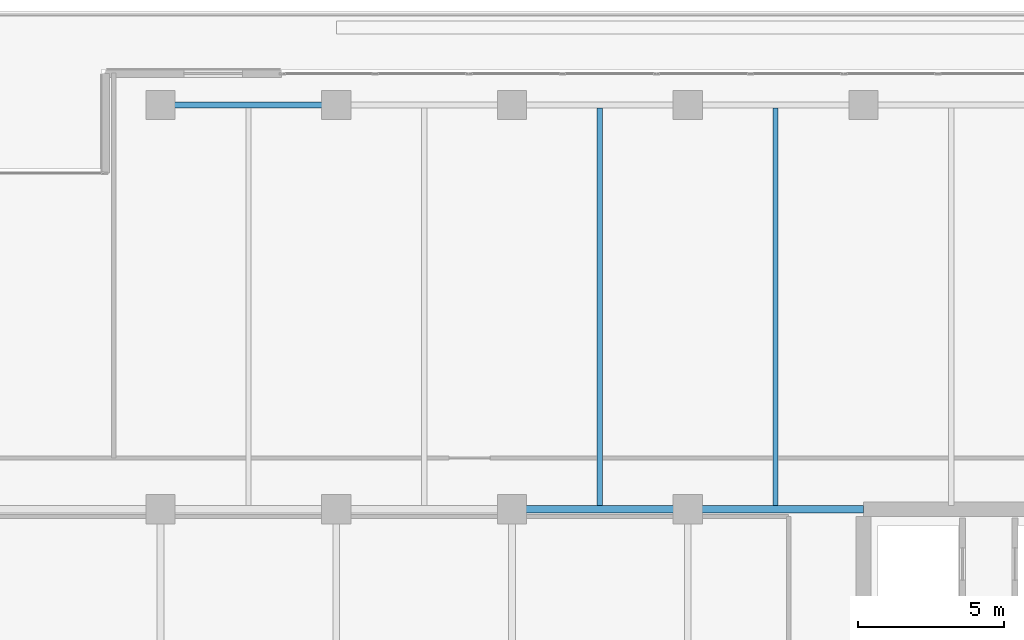
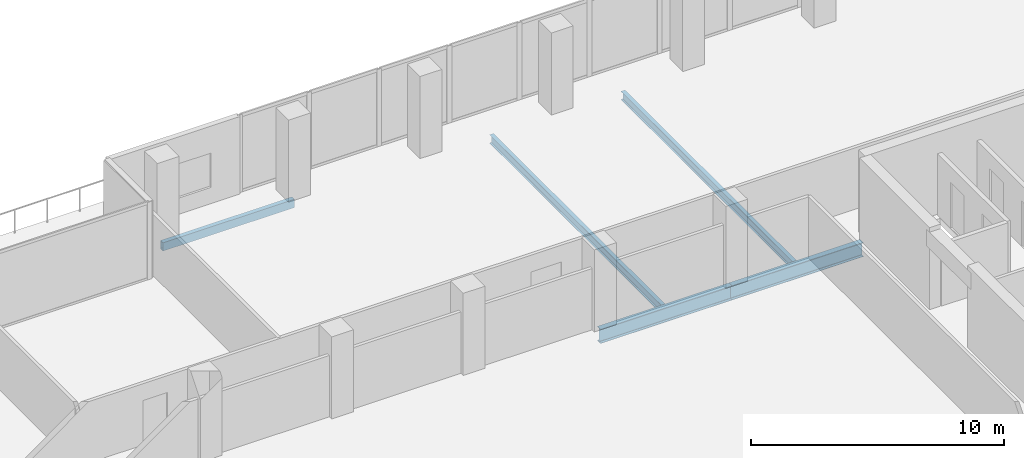
# One storey, part 16 of 38: 5 beams.
"""IFC4 building model written with IfcOpenShell, lengths in metres."""

import ifcopenshell
import ifcopenshell.guid

model = None  # the IFC model being written
_history = None  # IfcOwnerHistory: only IFC2X3 demands one
_inside = {}  # id of a spatial element -> (the spatial element, [elements in it])
_under = {}  # id of a project, library or spatial element -> (it, [spatial elements below it])
_declared = {}  # id of a project -> (the project, [libraries it declares])
_typed = {}  # id of a type object -> (the type object, [elements of that type])
_made_of = {}  # id of a material, layer set ... -> (it, [elements and type objects made of it])


def new_model(schema):
    """Start an empty IFC model of exactly this schema.

    Asked for "IFC4X3", IfcOpenShell would pick the latest addendum, in which some entities
    have other attributes; the version numbers below select the first issue.
    IFC2X3 requires an IfcOwnerHistory on every rooted entity: one is made here for all.
    """
    global model, _history
    if schema == "IFC4X3":
        model = ifcopenshell.file(schema_version=(4, 3, 0, 0))
    else:
        model = ifcopenshell.file(schema=schema)
    _inside.clear()
    _under.clear()
    _declared.clear()
    _typed.clear()
    _made_of.clear()
    _history = None
    if model.schema == "IFC2X3":
        org = make("IfcOrganization", Name="unknown")
        user = make(
            "IfcPersonAndOrganization",
            ThePerson=make("IfcPerson", FamilyName="unknown"),
            TheOrganization=org,
        )
        app = make(
            "IfcApplication",
            ApplicationDeveloper=org,
            Version="unknown",
            ApplicationFullName="unknown",
            ApplicationIdentifier="unknown",
        )
        _history = make(
            "IfcOwnerHistory",
            OwningUser=user,
            OwningApplication=app,
            ChangeAction="ADDED",
            CreationDate=0,
        )
    return model


def make(cls, **values):
    """One entity of the class cls with the attributes given. An attribute that is None is left unset."""
    return model.create_entity(
        cls, **{name: value for name, value in values.items() if value is not None}
    )


def rooted(cls, **values):
    """An entity with a GlobalId (a new one), such as an element, a storey or a relation."""
    return make(cls, GlobalId=ifcopenshell.guid.new(), OwnerHistory=_history, **values)


def si_unit(unit_type, name, prefix=None):
    """IfcSIUnit, for example si_unit("LENGTHUNIT", "METRE", prefix="MILLI")."""
    return make("IfcSIUnit", UnitType=unit_type, Prefix=prefix, Name=name)


def assignment(units):
    """IfcUnitAssignment: the units of a project."""
    return None if units is None else make("IfcUnitAssignment", Units=units)


def point(xyz):
    """IfcCartesianPoint."""
    return None if xyz is None else make("IfcCartesianPoint", Coordinates=xyz)


def direction(xyz):
    """IfcDirection."""
    return None if xyz is None else make("IfcDirection", DirectionRatios=xyz)


def frame(location, z_axis=None, x_axis=None):
    """IfcAxis2Placement3D, a coordinate frame: its origin and axes. An axis left out is left unset."""
    return make(
        "IfcAxis2Placement3D",
        Location=point(location),
        Axis=direction(z_axis),
        RefDirection=direction(x_axis),
    )


def frame_2d(location, x_axis=None):
    """IfcAxis2Placement2D, a coordinate frame in the plane: its origin and x axis."""
    return make(
        "IfcAxis2Placement2D", Location=point(location), RefDirection=direction(x_axis)
    )


def origin():
    """The frame at (0, 0, 0) with its axes left unset."""
    return frame((0.0, 0.0, 0.0))


def origin_2d():
    """The frame at (0, 0) in the plane with its x axis left unset."""
    return frame_2d((0.0, 0.0))


def place(relative_to, where):
    """IfcLocalPlacement: puts the frame where relative to a parent placement (None: the world)."""
    return make(
        "IfcLocalPlacement", PlacementRelTo=relative_to, RelativePlacement=where
    )


def context(
    kind, dimensions, precision=None, world=None, true_north=None, identifier=None
):
    """IfcGeometricRepresentationContext, for example the 3D "Model" context."""
    return make(
        "IfcGeometricRepresentationContext",
        ContextIdentifier=identifier,
        ContextType=kind,
        CoordinateSpaceDimension=dimensions,
        Precision=precision,
        WorldCoordinateSystem=world,
        TrueNorth=true_north,
    )


def subcontext(parent, identifier, kind, view, scale=None):
    """IfcGeometricRepresentationSubContext, for example "Body" below "Model"."""
    return make(
        "IfcGeometricRepresentationSubContext",
        ContextIdentifier=identifier,
        ContextType=kind,
        ParentContext=parent,
        TargetScale=scale,
        TargetView=view,
    )


def project(units=None, contexts=None):
    """IfcProject with its units and contexts."""
    return rooted(
        "IfcProject",
        Name="project",
        RepresentationContexts=contexts,
        UnitsInContext=assignment(units),
    )


def spatial(cls, under=None, at=None, **own):
    """A site, building, storey or space (cls), placed at a placement, below another one or the project."""
    s = rooted(cls, ObjectPlacement=at, **own)
    if under is not None:
        _under.setdefault(under.id(), (under, []))[1].append(s)
    return s


def profile(cls, at=None, kind="AREA", **sizes):
    """A parametric profile (cls). Its sizes go by their IFC names, for example OverallWidth=200.0."""
    return make(cls, ProfileType=kind, Position=at, **sizes)


def hollow_rectangle(**sizes):
    """IfcRectangleHollowProfileDef."""
    return profile("IfcRectangleHollowProfileDef", **sizes)


def i_section(**sizes):
    """IfcIShapeProfileDef."""
    return profile("IfcIShapeProfileDef", **sizes)


def extrude(swept, where, along, depth):
    """IfcExtrudedAreaSolid: the profile swept, set in the frame where, extruded along a direction by depth."""
    return make(
        "IfcExtrudedAreaSolid",
        SweptArea=swept,
        Position=where,
        ExtrudedDirection=direction(along),
        Depth=depth,
    )


def shape(context_of_items, identifier, shape_type, items):
    """IfcShapeRepresentation: the items that make up one representation, for example the "Body"."""
    return make(
        "IfcShapeRepresentation",
        ContextOfItems=context_of_items,
        RepresentationIdentifier=identifier,
        RepresentationType=shape_type,
        Items=items,
    )


def material(Name=None, Category=None):
    """IfcMaterial."""
    return make("IfcMaterial", Name=Name, Category=Category)


def material_profile(
    of_material, cross_section, Name=None, Category=None, Priority=None
):
    """IfcMaterialProfile: a cross section and its material."""
    return make(
        "IfcMaterialProfile",
        Name=Name,
        Material=of_material,
        Profile=cross_section,
        Priority=Priority,
        Category=Category,
    )


def profile_set(profiles, Name=None, composite=None):
    """IfcMaterialProfileSet."""
    return make(
        "IfcMaterialProfileSet",
        Name=Name,
        MaterialProfiles=profiles,
        CompositeProfile=composite,
    )


def made_of(thing, what):
    """Note that an element or type object is made of a material, layer set ...; save() writes the relation."""
    if what is not None:
        _made_of.setdefault(what.id(), (what, []))[1].append(thing)
    return thing


def type_object(cls, material=None, **own):
    """A type object (cls), such as IfcWallType, which elements share."""
    return made_of(rooted(cls, **own), material)


def element(
    cls,
    number,
    at=None,
    inside=None,
    cuts=None,
    type_object=None,
    material=None,
    context=None,
    identifier="Body",
    shape_type=None,
    held_by="IfcProductDefinitionShape",
    body=None,
    shapes=None,
    **own,
):
    """One element of the class cls, such as IfcWall. Its Tag is "e" and its number.

    at: its placement. inside: the storey or other place that contains it. cuts: it is an
    opening in that element (IfcRelVoidsElement). A single representation is given by context,
    identifier, shape_type and body (its items); several are given by shapes. held_by: the class
    of the entity that holds the representations. save() writes the other relations.
    """
    e = rooted(cls, Tag="e%d" % number, ObjectPlacement=at, **own)
    if body is not None:
        shapes = [shape(context, identifier, shape_type, body)]
    if shapes is not None:
        e.Representation = make(held_by, Representations=shapes)
    if inside is not None:
        _inside.setdefault(inside.id(), (inside, []))[1].append(e)
    if cuts is not None:
        rooted(
            "IfcRelVoidsElement", RelatingBuildingElement=cuts, RelatedOpeningElement=e
        )
    if type_object is not None:
        _typed.setdefault(type_object.id(), (type_object, []))[1].append(e)
    return made_of(e, material)


def aggregate(whole, parts):
    """IfcRelAggregates: a whole, such as a stair, and the parts it consists of."""
    return rooted("IfcRelAggregates", RelatingObject=whole, RelatedObjects=parts)


def save(model, path):
    """Write the relations noted so far, then the file.

    IfcRelAggregates (storeys below a building ...), IfcRelContainedInSpatialStructure (elements
    in a storey), IfcRelDefinesByType, IfcRelAssociatesMaterial and IfcRelDeclares: one each for
    every whole, place, type object, material and project.
    """
    for whole, parts in _under.values():
        aggregate(whole, parts)
    for where, things in _inside.values():
        rooted(
            "IfcRelContainedInSpatialStructure",
            RelatedElements=things,
            RelatingStructure=where,
        )
    for kind, things in _typed.values():
        rooted("IfcRelDefinesByType", RelatedObjects=things, RelatingType=kind)
    for what, things in _made_of.values():
        rooted("IfcRelAssociatesMaterial", RelatedObjects=things, RelatingMaterial=what)
    for by, libraries in _declared.values():
        rooted("IfcRelDeclares", RelatingContext=by, RelatedDefinitions=libraries)
    model.write(path)


model = new_model("IFC4")

# Units and contexts
model_context = context("Model", 3, precision=1e-05, world=origin(), true_north=direction((0.0, 1.0)))
body_context = subcontext(model_context, "Body", "Model", "MODEL_VIEW")
ifc_project = project(units=[si_unit("LENGTHUNIT", "METRE"), si_unit("AREAUNIT", "SQUARE_METRE"), si_unit("VOLUMEUNIT", "CUBIC_METRE"), si_unit("PLANEANGLEUNIT", "RADIAN"), si_unit("MASSUNIT", "GRAM", prefix="KILO")], contexts=[model_context])

# Site, building, storey
site_placement = place(None, origin())
site = spatial("IfcSite", under=ifc_project, at=site_placement, CompositionType="ELEMENT")
building_placement = place(site_placement, origin())
building = spatial("IfcBuilding", under=site, at=building_placement, Name="Tanjung Sevakor Pilgrim Tower", CompositionType="ELEMENT")
storey_placement = place(building_placement, frame((0.0, 0.0, 78.2099609375)))
storey = spatial("IfcBuildingStorey", under=building, at=storey_placement, Name="L21", CompositionType="ELEMENT", Elevation=78.2099609375)

# Beams
ifc_material_1 = material(Name="Steel S355J2", Category="steel")
ifc_material_profile_1 = material_profile(ifc_material_1, i_section(OverallWidth=0.25439453125, OverallDepth=0.6875, WebThickness=0.01318359375, FlangeThickness=0.02099609375, FilletRadius=0.01513671875, at=origin_2d()))
ifc_profile_set_1 = profile_set([ifc_material_profile_1], Name="Steel S355J2")
beam_type_1 = type_object("IfcBeamType", Name="BM-B-G2-UB_686x254x152", PredefinedType="BEAM", material=ifc_profile_set_1)
for number, where, z_axis, x_axis, name in (
    (1, (66.0, 42.60009765625, -0.623779296875), (1.0, 0.0, 0.0), (0.0, 1.0, 0.0), "L21 Primary Floor Girder MAIN Y426-07"),
    (2, (72.0, 42.60009765625, -0.623779296875), (1.0, 0.0, 0.0), (0.0, 1.0, 0.0), "L21 Primary Floor Girder MAIN Y426-08"),
):
    element("IfcBeam", number, at=place(storey_placement, frame(where, z_axis=z_axis, x_axis=x_axis)), inside=storey, type_object=beam_type_1, Name=name, PredefinedType="BEAM", context=body_context, shape_type="SweptSolid", body=[
        extrude(i_section(OverallWidth=0.25439453125, OverallDepth=0.6875, WebThickness=0.01318359375, FlangeThickness=0.02099609375, FilletRadius=0.01513671875, at=origin_2d()), origin(), (0.0, 0.0, 1.0), 6.0),
    ])
ifc_material_2 = material(Name="Steel S355J2", Category="steel")
ifc_material_profile_2 = material_profile(ifc_material_2, i_section(OverallWidth=0.1787109375, OverallDepth=0.409423828125, WebThickness=0.0087890625, FlangeThickness=0.014404296875, FilletRadius=0.01025390625, at=origin_2d()))
ifc_profile_set_2 = profile_set([ifc_material_profile_2], Name="Steel S355J2")
beam_type_2 = type_object("IfcBeamType", Name="BM-B-J3-UB_406x178x67", PredefinedType="JOIST", material=ifc_profile_set_2)
for number, where, z_axis, x_axis, name in (
    (3, (69.0, 42.727294921875, -0.484619140625), (0.0, 1.0, 0.0), (-1.0, 0.0, 0.0), "L21 MAIN Joist 017"),
    (4, (75.0, 42.727294921875, -0.484619140625), (0.0, 1.0, 0.0), (-1.0, 0.0, 0.0), "L21 MAIN Joist 020"),
):
    element("IfcBeam", number, at=place(storey_placement, frame(where, z_axis=z_axis, x_axis=x_axis)), inside=storey, type_object=beam_type_2, Name=name, PredefinedType="JOIST", context=body_context, shape_type="SweptSolid", body=[
        extrude(i_section(OverallWidth=0.1787109375, OverallDepth=0.409423828125, WebThickness=0.0087890625, FlangeThickness=0.014404296875, FilletRadius=0.01025390625, at=origin_2d()), origin(), (0.0, 0.0, 1.0), 13.57275390625),
    ])
ifc_material_3 = material(Name="Steel S355J2", Category="steel")
ifc_material_profile_3 = material_profile(ifc_material_3, hollow_rectangle(XDim=0.199951171875, YDim=0.39990234375, WallThickness=0.01611328125, at=origin_2d()))
ifc_profile_set_3 = profile_set([ifc_material_profile_3], Name="Steel S355J2")
beam_type_3 = type_object("IfcBeamType", Name="BM-B-SP2-RHS_400x200x16", PredefinedType="SPANDREL", material=ifc_profile_set_3)
beam_placement = place(storey_placement, frame((54.0, 56.39990234375, -0.47998046875), z_axis=(1.0, 0.0, 0.0), x_axis=(0.0, 1.0, 0.0)))
element("IfcBeam", 5, at=beam_placement, inside=storey, type_object=beam_type_3, Name="L21 Spandrel MAIN N-08", PredefinedType="SPANDREL", context=body_context, shape_type="SweptSolid", body=[
    extrude(hollow_rectangle(XDim=0.199951171875, YDim=0.39990234375, WallThickness=0.01611328125, at=origin_2d()), origin(), (0.0, 0.0, 1.0), 6.0),
])

save(model, "model.ifc")
